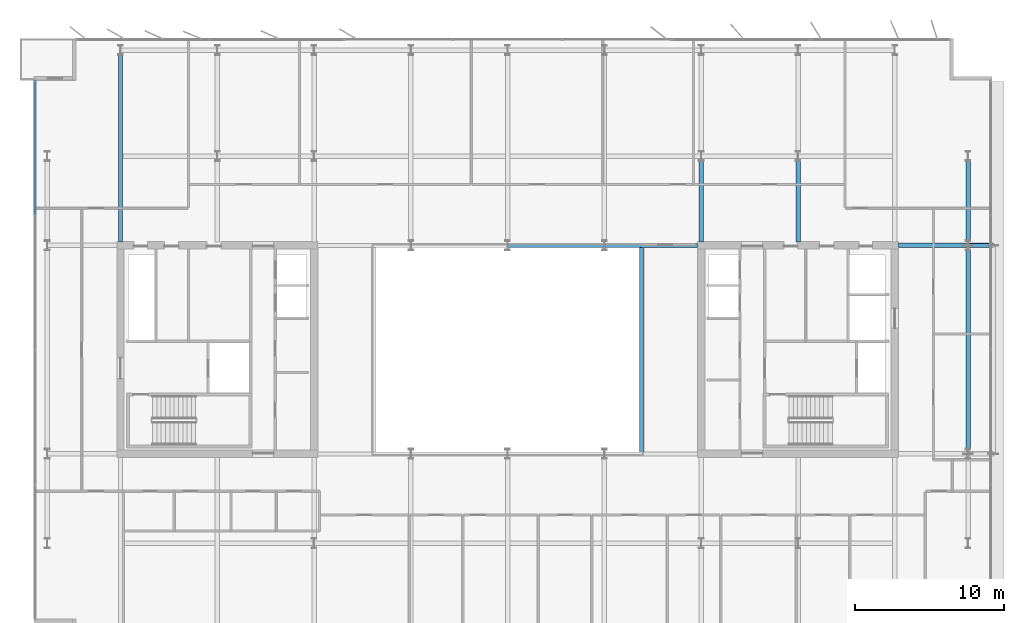
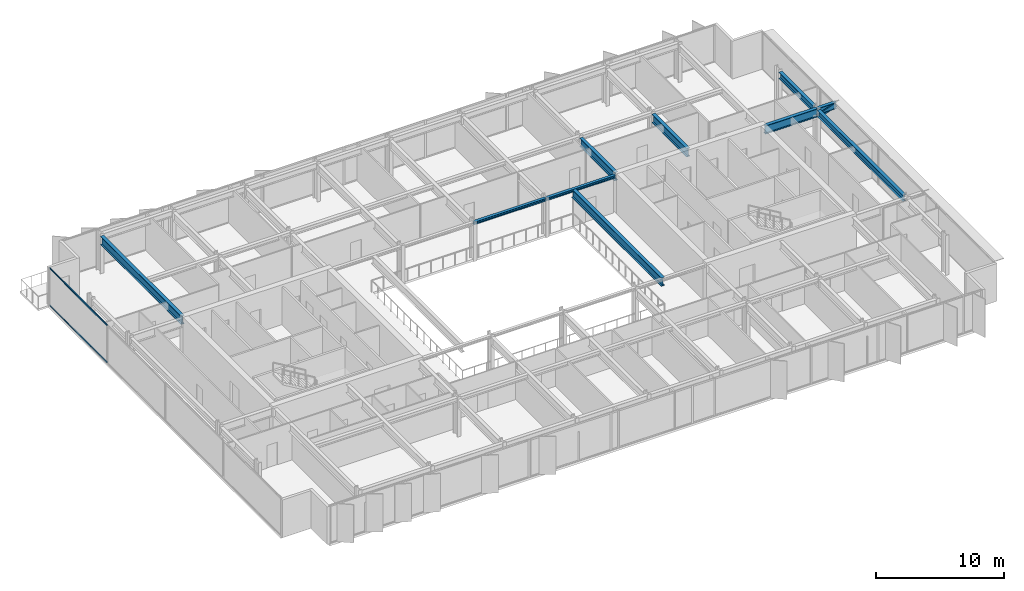
# One storey, part 7 of 20: 10 beams, 3 members, 1 element without a shape of its own.
"""IFC4 building model written with IfcOpenShell, lengths in metres."""

import ifcopenshell
import ifcopenshell.guid

model = None  # the IFC model being written
_history = None  # IfcOwnerHistory: only IFC2X3 demands one
_inside = {}  # id of a spatial element -> (the spatial element, [elements in it])
_under = {}  # id of a project, library or spatial element -> (it, [spatial elements below it])
_declared = {}  # id of a project -> (the project, [libraries it declares])
_typed = {}  # id of a type object -> (the type object, [elements of that type])
_made_of = {}  # id of a material, layer set ... -> (it, [elements and type objects made of it])


def new_model(schema):
    """Start an empty IFC model of exactly this schema.

    Asked for "IFC4X3", IfcOpenShell would pick the latest addendum, in which some entities
    have other attributes; the version numbers below select the first issue.
    IFC2X3 requires an IfcOwnerHistory on every rooted entity: one is made here for all.
    """
    global model, _history
    if schema == "IFC4X3":
        model = ifcopenshell.file(schema_version=(4, 3, 0, 0))
    else:
        model = ifcopenshell.file(schema=schema)
    _inside.clear()
    _under.clear()
    _declared.clear()
    _typed.clear()
    _made_of.clear()
    _history = None
    if model.schema == "IFC2X3":
        org = make("IfcOrganization", Name="unknown")
        user = make(
            "IfcPersonAndOrganization",
            ThePerson=make("IfcPerson", FamilyName="unknown"),
            TheOrganization=org,
        )
        app = make(
            "IfcApplication",
            ApplicationDeveloper=org,
            Version="unknown",
            ApplicationFullName="unknown",
            ApplicationIdentifier="unknown",
        )
        _history = make(
            "IfcOwnerHistory",
            OwningUser=user,
            OwningApplication=app,
            ChangeAction="ADDED",
            CreationDate=0,
        )
    return model


def make(cls, **values):
    """One entity of the class cls with the attributes given. An attribute that is None is left unset."""
    return model.create_entity(
        cls, **{name: value for name, value in values.items() if value is not None}
    )


def rooted(cls, **values):
    """An entity with a GlobalId (a new one), such as an element, a storey or a relation."""
    return make(cls, GlobalId=ifcopenshell.guid.new(), OwnerHistory=_history, **values)


def si_unit(unit_type, name, prefix=None):
    """IfcSIUnit, for example si_unit("LENGTHUNIT", "METRE", prefix="MILLI")."""
    return make("IfcSIUnit", UnitType=unit_type, Prefix=prefix, Name=name)


def assignment(units):
    """IfcUnitAssignment: the units of a project."""
    return None if units is None else make("IfcUnitAssignment", Units=units)


def point(xyz):
    """IfcCartesianPoint."""
    return None if xyz is None else make("IfcCartesianPoint", Coordinates=xyz)


def direction(xyz):
    """IfcDirection."""
    return None if xyz is None else make("IfcDirection", DirectionRatios=xyz)


def frame(location, z_axis=None, x_axis=None):
    """IfcAxis2Placement3D, a coordinate frame: its origin and axes. An axis left out is left unset."""
    return make(
        "IfcAxis2Placement3D",
        Location=point(location),
        Axis=direction(z_axis),
        RefDirection=direction(x_axis),
    )


def frame_2d(location, x_axis=None):
    """IfcAxis2Placement2D, a coordinate frame in the plane: its origin and x axis."""
    return make(
        "IfcAxis2Placement2D", Location=point(location), RefDirection=direction(x_axis)
    )


def origin():
    """The frame at (0, 0, 0) with its axes left unset."""
    return frame((0.0, 0.0, 0.0))


def origin_2d():
    """The frame at (0, 0) in the plane with its x axis left unset."""
    return frame_2d((0.0, 0.0))


def place(relative_to, where):
    """IfcLocalPlacement: puts the frame where relative to a parent placement (None: the world)."""
    return make(
        "IfcLocalPlacement", PlacementRelTo=relative_to, RelativePlacement=where
    )


def context(
    kind, dimensions, precision=None, world=None, true_north=None, identifier=None
):
    """IfcGeometricRepresentationContext, for example the 3D "Model" context."""
    return make(
        "IfcGeometricRepresentationContext",
        ContextIdentifier=identifier,
        ContextType=kind,
        CoordinateSpaceDimension=dimensions,
        Precision=precision,
        WorldCoordinateSystem=world,
        TrueNorth=true_north,
    )


def subcontext(parent, identifier, kind, view, scale=None):
    """IfcGeometricRepresentationSubContext, for example "Body" below "Model"."""
    return make(
        "IfcGeometricRepresentationSubContext",
        ContextIdentifier=identifier,
        ContextType=kind,
        ParentContext=parent,
        TargetScale=scale,
        TargetView=view,
    )


def project(units=None, contexts=None):
    """IfcProject with its units and contexts."""
    return rooted(
        "IfcProject",
        Name="project",
        RepresentationContexts=contexts,
        UnitsInContext=assignment(units),
    )


def spatial(cls, under=None, at=None, **own):
    """A site, building, storey or space (cls), placed at a placement, below another one or the project."""
    s = rooted(cls, ObjectPlacement=at, **own)
    if under is not None:
        _under.setdefault(under.id(), (under, []))[1].append(s)
    return s


def profile(cls, at=None, kind="AREA", **sizes):
    """A parametric profile (cls). Its sizes go by their IFC names, for example OverallWidth=200.0."""
    return make(cls, ProfileType=kind, Position=at, **sizes)


def rectangle(**sizes):
    """IfcRectangleProfileDef."""
    return profile("IfcRectangleProfileDef", **sizes)


def hollow_rectangle(**sizes):
    """IfcRectangleHollowProfileDef."""
    return profile("IfcRectangleHollowProfileDef", **sizes)


def i_section(**sizes):
    """IfcIShapeProfileDef."""
    return profile("IfcIShapeProfileDef", **sizes)


def extrude(swept, where, along, depth):
    """IfcExtrudedAreaSolid: the profile swept, set in the frame where, extruded along a direction by depth."""
    return make(
        "IfcExtrudedAreaSolid",
        SweptArea=swept,
        Position=where,
        ExtrudedDirection=direction(along),
        Depth=depth,
    )


def shape(context_of_items, identifier, shape_type, items):
    """IfcShapeRepresentation: the items that make up one representation, for example the "Body"."""
    return make(
        "IfcShapeRepresentation",
        ContextOfItems=context_of_items,
        RepresentationIdentifier=identifier,
        RepresentationType=shape_type,
        Items=items,
    )


def material(Name=None, Category=None):
    """IfcMaterial."""
    return make("IfcMaterial", Name=Name, Category=Category)


def layer(
    of_material, thickness, ventilated=None, Name=None, Category=None, Priority=None
):
    """IfcMaterialLayer: one layer of a wall or slab, of a material (None: an air gap)."""
    return make(
        "IfcMaterialLayer",
        Material=of_material,
        LayerThickness=thickness,
        IsVentilated=ventilated,
        Name=Name,
        Category=Category,
        Priority=Priority,
    )


def layer_set(layers, Name=None):
    """IfcMaterialLayerSet."""
    return make("IfcMaterialLayerSet", MaterialLayers=layers, LayerSetName=Name)


def material_profile(
    of_material, cross_section, Name=None, Category=None, Priority=None
):
    """IfcMaterialProfile: a cross section and its material."""
    return make(
        "IfcMaterialProfile",
        Name=Name,
        Material=of_material,
        Profile=cross_section,
        Priority=Priority,
        Category=Category,
    )


def profile_set(profiles, Name=None, composite=None):
    """IfcMaterialProfileSet."""
    return make(
        "IfcMaterialProfileSet",
        Name=Name,
        MaterialProfiles=profiles,
        CompositeProfile=composite,
    )


def made_of(thing, what):
    """Note that an element or type object is made of a material, layer set ...; save() writes the relation."""
    if what is not None:
        _made_of.setdefault(what.id(), (what, []))[1].append(thing)
    return thing


def type_object(cls, material=None, **own):
    """A type object (cls), such as IfcWallType, which elements share."""
    return made_of(rooted(cls, **own), material)


def element(
    cls,
    number,
    at=None,
    inside=None,
    cuts=None,
    type_object=None,
    material=None,
    context=None,
    identifier="Body",
    shape_type=None,
    held_by="IfcProductDefinitionShape",
    body=None,
    shapes=None,
    **own,
):
    """One element of the class cls, such as IfcWall. Its Tag is "e" and its number.

    at: its placement. inside: the storey or other place that contains it. cuts: it is an
    opening in that element (IfcRelVoidsElement). A single representation is given by context,
    identifier, shape_type and body (its items); several are given by shapes. held_by: the class
    of the entity that holds the representations. save() writes the other relations.
    """
    e = rooted(cls, Tag="e%d" % number, ObjectPlacement=at, **own)
    if body is not None:
        shapes = [shape(context, identifier, shape_type, body)]
    if shapes is not None:
        e.Representation = make(held_by, Representations=shapes)
    if inside is not None:
        _inside.setdefault(inside.id(), (inside, []))[1].append(e)
    if cuts is not None:
        rooted(
            "IfcRelVoidsElement", RelatingBuildingElement=cuts, RelatedOpeningElement=e
        )
    if type_object is not None:
        _typed.setdefault(type_object.id(), (type_object, []))[1].append(e)
    return made_of(e, material)


def aggregate(whole, parts):
    """IfcRelAggregates: a whole, such as a stair, and the parts it consists of."""
    return rooted("IfcRelAggregates", RelatingObject=whole, RelatedObjects=parts)


def save(model, path):
    """Write the relations noted so far, then the file.

    IfcRelAggregates (storeys below a building ...), IfcRelContainedInSpatialStructure (elements
    in a storey), IfcRelDefinesByType, IfcRelAssociatesMaterial and IfcRelDeclares: one each for
    every whole, place, type object, material and project.
    """
    for whole, parts in _under.values():
        aggregate(whole, parts)
    for where, things in _inside.values():
        rooted(
            "IfcRelContainedInSpatialStructure",
            RelatedElements=things,
            RelatingStructure=where,
        )
    for kind, things in _typed.values():
        rooted("IfcRelDefinesByType", RelatedObjects=things, RelatingType=kind)
    for what, things in _made_of.values():
        rooted("IfcRelAssociatesMaterial", RelatedObjects=things, RelatingMaterial=what)
    for by, libraries in _declared.values():
        rooted("IfcRelDeclares", RelatingContext=by, RelatedDefinitions=libraries)
    model.write(path)


model = new_model("IFC4")

# Units and contexts
model_context = context("Model", 3, precision=1e-05, world=origin(), true_north=direction((0.0, 1.0)))
body_context = subcontext(model_context, "Body", "Model", "MODEL_VIEW")
ifc_project = project(units=[si_unit("LENGTHUNIT", "METRE"), si_unit("AREAUNIT", "SQUARE_METRE"), si_unit("VOLUMEUNIT", "CUBIC_METRE"), si_unit("PLANEANGLEUNIT", "RADIAN"), si_unit("MASSUNIT", "GRAM", prefix="KILO")], contexts=[model_context])

# Site, building, storey
site_placement = place(None, origin())
site = spatial("IfcSite", under=ifc_project, at=site_placement, CompositionType="ELEMENT")
building_placement = place(site_placement, origin())
building = spatial("IfcBuilding", under=site, at=building_placement, Name="Putna Gate Headquarters", CompositionType="ELEMENT")
storey_placement = place(building_placement, frame((0.0, 0.0, 270.800048828125)))
storey = spatial("IfcBuildingStorey", under=building, at=storey_placement, Name="L68", CompositionType="ELEMENT", Elevation=270.800048828125)

# Beams
ifc_material_1 = material(Name="Steel S355J2", Category="steel")
ifc_material_profile_1 = material_profile(ifc_material_1, i_section(OverallWidth=0.260009765625, OverallDepth=0.260009765625, WebThickness=0.010009765625, FlangeThickness=0.017578125, at=origin_2d()), Name="Steel S355J2")
ifc_profile_set_1 = profile_set([ifc_material_profile_1], Name="Steel S355J2")
beam_type_1 = type_object("IfcBeamType", Name="BM-ATRIUM-HEB260", PredefinedType="BEAM", material=ifc_profile_set_1)
beam_1_placement = place(storey_placement, frame((39.006103515625, 33.0, 3.4580078125), z_axis=(1.0, 0.0, 0.0), x_axis=(0.0, 1.0, 0.0)))
element("IfcBeam", 1, at=beam_1_placement, inside=storey, type_object=beam_type_1, Name="L68 Atrium Edge Beam AN3", PredefinedType="BEAM", context=body_context, shape_type="SweptSolid", body=[
    extrude(i_section(OverallWidth=0.260009765625, OverallDepth=0.260009765625, WebThickness=0.010009765625, FlangeThickness=0.017578125, at=origin_2d()), origin(), (0.0, 0.0, 1.0), 6.48779296875),
])
beam_2_placement = place(storey_placement, frame((45.506103515625, 33.0, 3.4580078125), z_axis=(1.0, 0.0, 0.0), x_axis=(0.0, 1.0, 0.0)))
element("IfcBeam", 2, at=beam_2_placement, inside=storey, type_object=beam_type_1, Name="L68 Atrium Edge Beam AN4", PredefinedType="BEAM", context=body_context, shape_type="SweptSolid", body=[
    extrude(i_section(OverallWidth=0.260009765625, OverallDepth=0.260009765625, WebThickness=0.010009765625, FlangeThickness=0.017578125, at=origin_2d()), origin(), (0.0, 0.0, 1.0), 6.2587890625),
])
ifc_material_profile_2 = material_profile(ifc_material_1, i_section(OverallWidth=0.300048828125, OverallDepth=0.800048828125, WebThickness=0.017578125, FlangeThickness=0.032958984375, at=origin_2d()), Name="Steel S355J2")
ifc_profile_set_2 = profile_set([ifc_material_profile_2], Name="Steel S355J2")
beam_type_2 = type_object("IfcBeamType", Name="BM-GIRD-P-HEB800", PredefinedType="USERDEFINED", material=ifc_profile_set_2)
beam_3_placement = place(storey_placement, frame((65.235107421875, 33.0, 3.18798828125), z_axis=(1.0, 0.0, 0.0), x_axis=(0.0, 1.0, 0.0)))
element("IfcBeam", 3, at=beam_3_placement, inside=storey, type_object=beam_type_2, Name="L68 East Wing Girder Y33", ObjectType="GIRDER", PredefinedType="USERDEFINED", context=body_context, shape_type="SweptSolid", body=[
    extrude(i_section(OverallWidth=0.300048828125, OverallDepth=0.800048828125, WebThickness=0.017578125, FlangeThickness=0.032958984375, at=origin_2d()), origin(), (0.0, 0.0, 1.0), 4.678955078125),
])
beam_4_placement = place(storey_placement, frame((13.0, 33.235107421875, 3.18798828125), z_axis=(0.0, 1.0, 0.0), x_axis=(-1.0, 0.0, 0.0)))
element("IfcBeam", 4, at=beam_4_placement, inside=storey, type_object=beam_type_2, Name="L68 North Primary Girder X13", ObjectType="GIRDER", PredefinedType="USERDEFINED", context=body_context, shape_type="SweptSolid", body=[
    extrude(i_section(OverallWidth=0.300048828125, OverallDepth=0.800048828125, WebThickness=0.017578125, FlangeThickness=0.032958984375, at=origin_2d()), origin(), (0.0, 0.0, 1.0), 12.56298828125),
])
for number, where, z_axis, x_axis, name in (
    (5, (52.0, 33.235107421875, 3.18798828125), (0.0, 1.0, 0.0), (-1.0, 0.0, 0.0), "L68 North Primary Girder X52-1"),
    (6, (58.5, 33.235107421875, 3.18798828125), (0.0, 1.0, 0.0), (-1.0, 0.0, 0.0), "L68 North Primary Girder X58-1"),
):
    element("IfcBeam", number, at=place(storey_placement, frame(where, z_axis=z_axis, x_axis=x_axis)), inside=storey, type_object=beam_type_2, Name=name, ObjectType="GIRDER", PredefinedType="USERDEFINED", context=body_context, shape_type="SweptSolid", body=[
        extrude(i_section(OverallWidth=0.300048828125, OverallDepth=0.800048828125, WebThickness=0.017578125, FlangeThickness=0.032958984375, at=origin_2d()), origin(), (0.0, 0.0, 1.0), 5.44287109375),
    ])
beam_5_placement = place(storey_placement, frame((48.0, 19.010009765625, 3.18798828125), z_axis=(0.0, 1.0, 0.0), x_axis=(-1.0, 0.0, 0.0)))
element("IfcBeam", 7, at=beam_5_placement, inside=storey, type_object=beam_type_2, Name="L68 Atrium Trim Girder AE", ObjectType="GIRDER", PredefinedType="USERDEFINED", context=body_context, shape_type="SweptSolid", body=[
    extrude(i_section(OverallWidth=0.300048828125, OverallDepth=0.800048828125, WebThickness=0.017578125, FlangeThickness=0.032958984375, at=origin_2d()), origin(), (0.0, 0.0, 1.0), 13.97998046875),
])
ifc_material_profile_3 = material_profile(ifc_material_1, i_section(OverallWidth=0.300048828125, OverallDepth=0.60009765625, WebThickness=0.015380859375, FlangeThickness=0.030029296875, at=origin_2d()), Name="Steel S355J2")
ifc_profile_set_3 = profile_set([ifc_material_profile_3], Name="Steel S355J2")
beam_type_3 = type_object("IfcBeamType", Name="BM-GIRD-SAIL-HEB600", PredefinedType="USERDEFINED", material=ifc_profile_set_3)
beam_6_placement = place(storey_placement, frame((69.926025390625, 33.0, 3.287841796875), z_axis=(1.0, 0.0, 0.0), x_axis=(0.0, 1.0, 0.0)))
element("IfcBeam", 8, at=beam_6_placement, inside=storey, type_object=beam_type_3, Name="L68 East Sail Outrigger Bracket Y33", ObjectType="GIRDER", PredefinedType="USERDEFINED", context=body_context, shape_type="SweptSolid", body=[
    extrude(i_section(OverallWidth=0.300048828125, OverallDepth=0.60009765625, WebThickness=0.015380859375, FlangeThickness=0.030029296875, at=origin_2d()), origin(), (0.0, 0.0, 1.0), 1.68896484375),
])
ifc_material_profile_4 = material_profile(ifc_material_1, i_section(OverallWidth=0.300048828125, OverallDepth=0.590087890625, WebThickness=0.012939453125, FlangeThickness=0.02490234375, at=origin_2d()), Name="Steel S355J2")
ifc_profile_set_4 = profile_set([ifc_material_profile_4], Name="Steel S355J2")
beam_type_4 = type_object("IfcBeamType", Name="BM-SPAN-Z4-HEA600", PredefinedType="SPANDREL", material=ifc_profile_set_4)
beam_7_placement = place(storey_placement, frame((69.919921875, 19.322021484375, 3.29296875), z_axis=(0.0, 1.0, 0.0), x_axis=(-1.0, 0.0, 0.0)))
element("IfcBeam", 9, at=beam_7_placement, inside=storey, type_object=beam_type_4, Name="L68 E End Spandrel 2", PredefinedType="SPANDREL", context=body_context, shape_type="SweptSolid", body=[
    extrude(i_section(OverallWidth=0.300048828125, OverallDepth=0.590087890625, WebThickness=0.012939453125, FlangeThickness=0.02490234375, at=origin_2d()), origin(), (0.0, 0.0, 1.0), 13.35595703125),
])
beam_8_placement = place(storey_placement, frame((69.919921875, 33.322021484375, 3.29296875), z_axis=(0.0, 1.0, 0.0), x_axis=(-1.0, 0.0, 0.0)))
element("IfcBeam", 10, at=beam_8_placement, inside=storey, type_object=beam_type_4, Name="L68 E End Spandrel 3", PredefinedType="SPANDREL", context=body_context, shape_type="SweptSolid", body=[
    extrude(i_section(OverallWidth=0.300048828125, OverallDepth=0.590087890625, WebThickness=0.012939453125, FlangeThickness=0.02490234375, at=origin_2d()), origin(), (0.0, 0.0, 1.0), 5.35595703125),
])

# Member
ifc_material_2 = material(Name="Steel S460M", Category="steel")
ifc_material_profile_5 = material_profile(ifc_material_2, hollow_rectangle(XDim=0.25, YDim=0.39990234375, WallThickness=0.01611328125, at=origin_2d()), Name="Steel S460M")
ifc_profile_set_5 = profile_set([ifc_material_profile_5], Name="Steel S460M")
member_type_1 = type_object("IfcMemberType", Name="MEM-SAIL-BRACE-RHS400", PredefinedType="BRACE", material=ifc_profile_set_5)
member_1_placement = place(storey_placement, frame((69.933837890625, 33.0, 2.7568359375), z_axis=(0.939171985965, 0.0, 0.343447202315), x_axis=(0.0, 1.0, 0.0)))
element("IfcMember", 11, at=member_1_placement, inside=storey, type_object=member_type_1, Name="L68 East Sail Cantilever Raker Y33", PredefinedType="BRACE", context=body_context, shape_type="SweptSolid", body=[
    extrude(hollow_rectangle(XDim=0.25, YDim=0.39990234375, WallThickness=0.01611328125, at=origin_2d()), origin(), (0.0, 0.0, 1.0), 1.75927734375),
])

# Curtain wall, members
ifc_material_3 = material(Name="Anodised bronze aluminium curtain wall", Category="aluminium")
ifc_layer = layer(ifc_material_3, 0.179931640625)
ifc_layer_set = layer_set([ifc_layer], Name="Anodised bronze aluminium curtain wall")
curtain_wall_type = type_object("IfcCurtainWallType", Name="CW-SYS-Z5", PredefinedType="USERDEFINED", material=ifc_layer_set)
curtain_wall_placement = place(storey_placement, origin())
curtain_wall = element("IfcCurtainWall", 12, at=curtain_wall_placement, inside=storey, type_object=curtain_wall_type, Name="L68 West Curtain Wall", ObjectType="STICK CURTAIN WALL", PredefinedType="USERDEFINED")
ifc_material_4 = material(Name="Anodised bronze aluminium EN AW-6060", Category="aluminium")
ifc_material_profile_6 = material_profile(ifc_material_4, rectangle(XDim=0.06005859375, YDim=0.10009765625, at=origin_2d()), Name="Anodised bronze aluminium EN AW-6060")
ifc_profile_set_6 = profile_set([ifc_material_profile_6], Name="Anodised bronze aluminium EN AW-6060")
member_type_2 = type_object("IfcMemberType", Name="TRAN-CWT-5", PredefinedType="USERDEFINED", material=ifc_profile_set_6)
member_2_placement = place(storey_placement, frame((7.280029296875, 35.0849609375, 0.030029296875), z_axis=(0.0, 1.0, 0.0), x_axis=(-1.0, 0.0, 0.0)))
member_2 = element("IfcMember", 13, at=member_2_placement, type_object=member_type_2, Name="CWS-5 transom 4.1", ObjectType="TRANSOM", PredefinedType="USERDEFINED", context=body_context, shape_type="SweptSolid", body=[
    extrude(rectangle(XDim=0.06005859375, YDim=0.10009765625, at=origin_2d()), origin(), (0.0, 0.0, 1.0), 8.945068359375),
])
member_3_placement = place(storey_placement, frame((7.280029296875, 35.0849609375, 3.557861328125), z_axis=(0.0, 1.0, 0.0), x_axis=(-1.0, 0.0, 0.0)))
member_3 = element("IfcMember", 14, at=member_3_placement, type_object=member_type_2, Name="CWS-5 transom 4.2", ObjectType="TRANSOM", PredefinedType="USERDEFINED", context=body_context, shape_type="SweptSolid", body=[
    extrude(rectangle(XDim=0.06005859375, YDim=0.10009765625, at=origin_2d()), origin(), (0.0, 0.0, 1.0), 8.945068359375),
])
aggregate(curtain_wall, [member_2, member_3])

save(model, "model.ifc")
